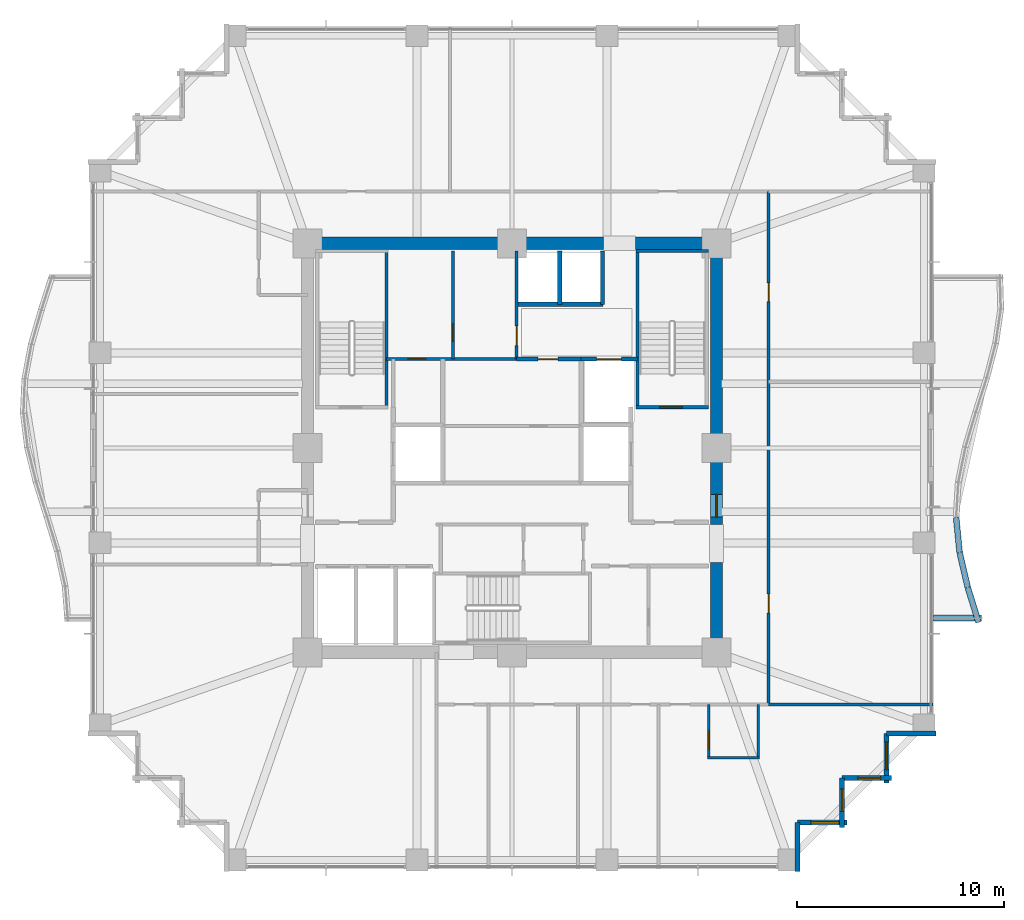
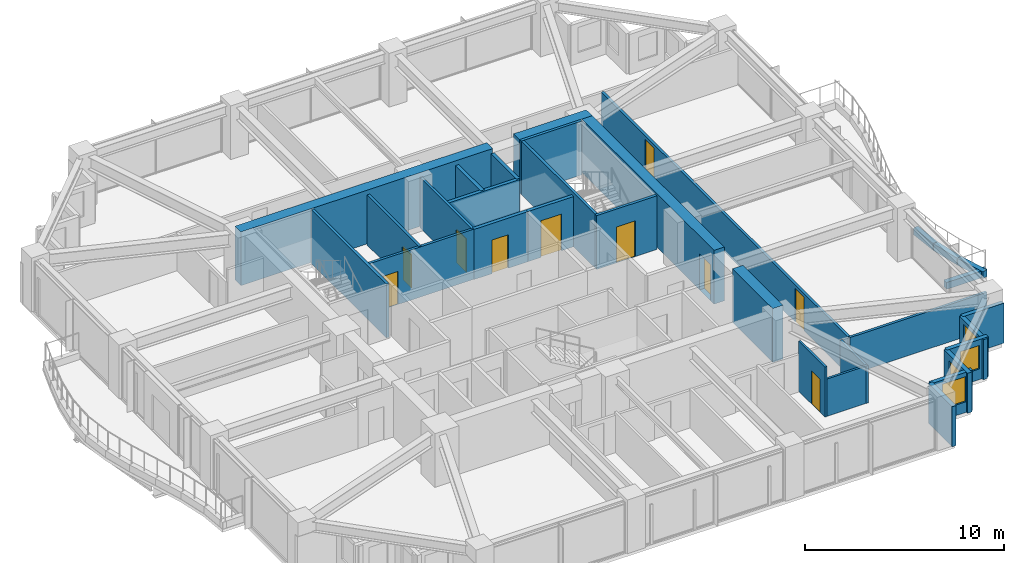
# One storey, part 32 of 36: 31 walls, 10 doors, 4 windows, 14 openings.
"""IFC4 building model written with IfcOpenShell, lengths in metres."""

from ifc_helpers import new_model, si_unit, direction, frame, frame_2d, origin, place, context, subcontext, project, spatial, rectangle, extrude, material, layer, layer_set, type_object, element, fill, save


model = new_model("IFC4")

# Units and contexts
model_context = context("Model", 3, precision=1e-05, world=origin(), true_north=direction((0.0, 1.0)))
body_context = subcontext(model_context, "Body", "Model", "MODEL_VIEW")
ifc_project = project(units=[si_unit("LENGTHUNIT", "METRE"), si_unit("AREAUNIT", "SQUARE_METRE"), si_unit("VOLUMEUNIT", "CUBIC_METRE"), si_unit("PLANEANGLEUNIT", "RADIAN"), si_unit("MASSUNIT", "GRAM", prefix="KILO")], contexts=[model_context])

# Site, building, storey
site_placement = place(None, origin())
site = spatial("IfcSite", under=ifc_project, at=site_placement, CompositionType="ELEMENT")
building_placement = place(site_placement, origin())
building = spatial("IfcBuilding", under=site, at=building_placement, Name="Kolvaren Belvedere", CompositionType="ELEMENT")
storey_placement = place(building_placement, frame((0.0, 0.0, 95.300048828125)))
storey = spatial("IfcBuildingStorey", under=building, at=storey_placement, Name="L27", CompositionType="ELEMENT", Elevation=95.300048828125)

# Walls
ifc_material_1 = material(Name="Concrete C60/75", Category="concrete")
ifc_layer_1 = layer(ifc_material_1, 0.60009765625)
ifc_layer_set_1 = layer_set([ifc_layer_1], Name="Concrete C60/75")
wall_type_1 = type_object("IfcWallType", Name="CW-CORE-600", PredefinedType="SHEAR", material=ifc_layer_set_1)
wall_1_placement = place(storey_placement, frame((-10.199951171875, 9.89990234375, 0.0), z_axis=(0.0, 0.0, 1.0), x_axis=(1.0, 0.0, 0.0)))
element("IfcWall", 1, at=wall_1_placement, inside=storey, type_object=wall_type_1, Name="L27 North Core Shear Wall 1", PredefinedType="SHEAR", context=body_context, shape_type="SweptSolid", body=[
    extrude(rectangle(XDim=14.619873046875, YDim=0.60009765625, at=frame_2d((7.31005859375, 0.0))), origin(), (0.0, 0.0, 1.0), 3.300048828125),
])
wall_2_placement = place(storey_placement, frame((5.97998046875, 9.89990234375, 0.0), z_axis=(0.0, 0.0, 1.0), x_axis=(1.0, 0.0, 0.0)))
element("IfcWall", 2, at=wall_2_placement, inside=storey, type_object=wall_type_1, Name="L27 North Core Shear Wall 2", PredefinedType="SHEAR", context=body_context, shape_type="SweptSolid", body=[
    extrude(rectangle(XDim=4.219970703125, YDim=0.60009765625, at=frame_2d((2.10986328125, 0.0))), origin(), (0.0, 0.0, 1.0), 3.300048828125),
])
wall_3_placement = place(storey_placement, frame((9.89990234375, -9.60009765625, 0.0), z_axis=(0.0, 0.0, 1.0), x_axis=(0.0, 1.0, 0.0)))
element("IfcWall", 3, at=wall_3_placement, inside=storey, type_object=wall_type_1, Name="L27 East Core Shear Wall 1", PredefinedType="SHEAR", context=body_context, shape_type="SweptSolid", body=[
    extrude(rectangle(XDim=4.050048828125, YDim=0.60009765625, at=frame_2d((2.02490234375, 0.0))), origin(), (0.0, 0.0, 1.0), 3.300048828125),
])

# Wall, opening, door
wall_4_placement = place(storey_placement, frame((9.89990234375, -3.699951171875, 0.0), z_axis=(0.0, 0.0, 1.0), x_axis=(0.0, 1.0, 0.0)))
wall_4 = element("IfcWall", 4, at=wall_4_placement, inside=storey, type_object=wall_type_1, Name="L27 East Core Shear Wall 2", PredefinedType="SHEAR", context=body_context, shape_type="SweptSolid", body=[
    extrude(rectangle(XDim=13.300048828125, YDim=0.60009765625, at=frame_2d((6.64990234375, 0.0))), origin(), (0.0, 0.0, 1.0), 3.300048828125),
])
opening_1_placement = place(wall_4_placement, frame((0.35009765625, 0.0, 0.0)))
opening_1 = element("IfcOpeningElement", 5, at=opening_1_placement, cuts=wall_4, Name="Opening D-FD90", PredefinedType="OPENING", context=body_context, shape_type="SweptSolid", body=[
    extrude(rectangle(XDim=1.10009765625, YDim=2.199951171875, at=frame_2d((0.550048828125, 1.10009765625))), frame((0.0, 0.31005859375, 0.0), z_axis=(0.0, -1.0, 0.0), x_axis=(1.0, 0.0, 0.0)), (0.0, 0.0, 1.0), 0.6201171875),
])
ifc_material_2 = material(Name="Painted hollow stainless steel", Category="steel")
door_type_1 = type_object("IfcDoorType", Name="DR-FD90-1100", OperationType="NOTDEFINED", PredefinedType="DOOR", material=ifc_material_2)
door_1_placement = place(opening_1_placement, origin())
door_1 = element("IfcDoor", 6, at=door_1_placement, inside=storey, type_object=door_type_1, Name="L27 East Firefighting Lobby Fire Door", OperationType="SINGLE_SWING_RIGHT", OverallHeight=2.199951171875, OverallWidth=1.10009765625, PredefinedType="DOOR", context=body_context, shape_type="SweptSolid", body=[
    extrude(rectangle(XDim=1.10009765625, YDim=2.199951171875, at=frame_2d((0.550048828125, 1.10009765625))), frame((0.0, 0.02490234375, 0.0), z_axis=(0.0, -1.0, 0.0), x_axis=(1.0, 0.0, 0.0)), (0.0, 0.0, 1.0), 0.050048828125),
])
fill(opening_1, door_1)

# Wall
ifc_material_3 = material(Name="Concrete C50/60", Category="concrete")
ifc_layer_2 = layer(ifc_material_3, 0.159912109375)
ifc_layer_set_2 = layer_set([ifc_layer_2], Name="Concrete C50/60")
wall_type_2 = type_object("IfcWallType", Name="CW-STAIR-160", PredefinedType="SHEAR", material=ifc_layer_set_2)
wall_5_placement = place(storey_placement, frame((-6.080078125, 1.969970703125, 0.0), z_axis=(0.0, 0.0, 1.0), x_axis=(0.0, 1.0, 0.0)))
element("IfcWall", 7, at=wall_5_placement, inside=storey, type_object=wall_type_2, Name="L27 Stair ST-1 East Shear Wall", PredefinedType="SHEAR", context=body_context, shape_type="SweptSolid", body=[
    extrude(rectangle(XDim=7.56005859375, YDim=0.159912109375, at=frame_2d((3.780029296875, 0.0))), origin(), (0.0, 0.0, 1.0), 3.300048828125),
])

# Wall, opening, door
wall_6_placement = place(storey_placement, frame((6.0, 1.969970703125, 0.0), z_axis=(0.0, 0.0, 1.0), x_axis=(1.0, 0.0, 0.0)))
wall_6 = element("IfcWall", 8, at=wall_6_placement, inside=storey, type_object=wall_type_2, Name="L27 Stair ST-2 South Shear Wall", PredefinedType="SHEAR", context=body_context, shape_type="SweptSolid", body=[
    extrude(rectangle(XDim=3.52001953125, YDim=0.159912109375, at=frame_2d((1.760009765625, 0.0))), origin(), (0.0, 0.0, 1.0), 3.300048828125),
])
opening_2_placement = place(wall_6_placement, frame((1.14990234375, 0.0, 0.0)))
opening_2 = element("IfcOpeningElement", 9, at=opening_2_placement, cuts=wall_6, Name="Opening D-FD90", PredefinedType="OPENING", context=body_context, shape_type="SweptSolid", body=[
    extrude(rectangle(XDim=1.10009765625, YDim=2.199951171875, at=frame_2d((0.550048828125, 1.10009765625))), frame((0.0, 0.08984375, 0.0), z_axis=(0.0, -1.0, 0.0), x_axis=(1.0, 0.0, 0.0)), (0.0, 0.0, 1.0), 0.179931640625),
])
door_2_placement = place(opening_2_placement, origin())
door_2 = element("IfcDoor", 10, at=door_2_placement, inside=storey, type_object=door_type_1, Name="L27 Stair ST-2 Fire Door", OperationType="SINGLE_SWING_RIGHT", OverallHeight=2.199951171875, OverallWidth=1.10009765625, PredefinedType="DOOR", context=body_context, shape_type="SweptSolid", body=[
    extrude(rectangle(XDim=1.10009765625, YDim=2.199951171875, at=frame_2d((0.550048828125, 1.10009765625))), frame((0.0, 0.02490234375, 0.0), z_axis=(0.0, -1.0, 0.0), x_axis=(1.0, 0.0, 0.0)), (0.0, 0.0, 1.0), 0.050048828125),
])
fill(opening_2, door_2)

# Walls
wall_7_placement = place(storey_placement, frame((6.0, 9.530029296875, 0.0), z_axis=(0.0, 0.0, 1.0), x_axis=(1.0, 0.0, 0.0)))
element("IfcWall", 11, at=wall_7_placement, inside=storey, type_object=wall_type_2, Name="L27 Stair ST-2 North Shear Wall", PredefinedType="SHEAR", context=body_context, shape_type="SweptSolid", body=[
    extrude(rectangle(XDim=3.52001953125, YDim=0.159912109375, at=frame_2d((1.760009765625, 0.0))), origin(), (0.0, 0.0, 1.0), 3.300048828125),
])
wall_8_placement = place(storey_placement, frame((6.080078125, 1.969970703125, 0.0), z_axis=(0.0, 0.0, 1.0), x_axis=(0.0, 1.0, 0.0)))
element("IfcWall", 12, at=wall_8_placement, inside=storey, type_object=wall_type_2, Name="L27 Stair ST-2 West Shear Wall", PredefinedType="SHEAR", context=body_context, shape_type="SweptSolid", body=[
    extrude(rectangle(XDim=7.56005859375, YDim=0.159912109375, at=frame_2d((3.780029296875, 0.0))), origin(), (0.0, 0.0, 1.0), 3.300048828125),
])

# Wall, openings, doors
ifc_material_4 = material(Name="Gypsum fire-rated partition assembly", Category="gypsum")
ifc_layer_3 = layer(ifc_material_4, 0.14990234375)
ifc_layer_set_3 = layer_set([ifc_layer_3], Name="Gypsum fire-rated partition assembly")
wall_type_3 = type_object("IfcWallType", Name="WL-CORR-150", PredefinedType="PARTITIONING", material=ifc_layer_set_3)
wall_9_placement = place(storey_placement, frame((12.419921875, -12.419921875, 0.0), z_axis=(0.0, 0.0, 1.0), x_axis=(0.0, 1.0, 0.0)))
wall_9 = element("IfcWall", 13, at=wall_9_placement, inside=storey, type_object=wall_type_3, Name="L27 East Corridor Wall", PredefinedType="PARTITIONING", context=body_context, shape_type="SweptSolid", body=[
    extrude(rectangle(XDim=24.83984375, YDim=0.14990234375, at=frame_2d((12.419921875, 0.0))), origin(), (0.0, 0.0, 1.0), 2.2919921875),
])
opening_3_placement = place(wall_9_placement, frame((4.43505859375, 0.0, 0.0)))
opening_3 = element("IfcOpeningElement", 14, at=opening_3_placement, cuts=wall_9, Name="Opening D-INT90", PredefinedType="OPENING", context=body_context, shape_type="SweptSolid", body=[
    extrude(rectangle(XDim=0.89990234375, YDim=2.06005859375, at=frame_2d((0.449951171875, 1.030029296875))), frame((0.0, 0.0849609375, 0.0), z_axis=(0.0, -1.0, 0.0), x_axis=(1.0, 0.0, 0.0)), (0.0, 0.0, 1.0), 0.169921875),
])
opening_4_placement = place(wall_9_placement, frame((19.5048828125, 0.0, 0.0)))
opening_4 = element("IfcOpeningElement", 15, at=opening_4_placement, cuts=wall_9, Name="Opening D-INT90", PredefinedType="OPENING", context=body_context, shape_type="SweptSolid", body=[
    extrude(rectangle(XDim=0.89990234375, YDim=2.06005859375, at=frame_2d((0.449951171875, 1.030029296875))), frame((0.0, 0.0849609375, 0.0), z_axis=(0.0, -1.0, 0.0), x_axis=(1.0, 0.0, 0.0)), (0.0, 0.0, 1.0), 0.169921875),
])
ifc_material_5 = material(Name="Stained Pacific white oak", Category="timber")
door_type_2 = type_object("IfcDoorType", Name="DR-INT-900", OperationType="NOTDEFINED", PredefinedType="DOOR", material=ifc_material_5)
door_3_placement = place(opening_3_placement, origin())
door_3 = element("IfcDoor", 16, at=door_3_placement, inside=storey, type_object=door_type_2, Name="L27 Lounge 2703 Door", OperationType="SINGLE_SWING_RIGHT", OverallHeight=2.06005859375, OverallWidth=0.89990234375, PredefinedType="DOOR", context=body_context, shape_type="SweptSolid", body=[
    extrude(rectangle(XDim=0.89990234375, YDim=2.06005859375, at=frame_2d((0.449951171875, 1.030029296875))), frame((0.0, 0.02490234375, 0.0), z_axis=(0.0, -1.0, 0.0), x_axis=(1.0, 0.0, 0.0)), (0.0, 0.0, 1.0), 0.050048828125),
])
fill(opening_3, door_3)
door_4_placement = place(opening_4_placement, origin())
door_4 = element("IfcDoor", 17, at=door_4_placement, inside=storey, type_object=door_type_2, Name="L27 Guest Tea & Espresso Kitchen 2704 Door", OperationType="SINGLE_SWING_LEFT", OverallHeight=2.06005859375, OverallWidth=0.89990234375, PredefinedType="DOOR", context=body_context, shape_type="SweptSolid", body=[
    extrude(rectangle(XDim=0.89990234375, YDim=2.06005859375, at=frame_2d((0.449951171875, 1.030029296875))), frame((0.0, 0.02490234375, 0.0), z_axis=(0.0, -1.0, 0.0), x_axis=(1.0, 0.0, 0.0)), (0.0, 0.0, 1.0), 0.050048828125),
])
fill(opening_4, door_4)

# Wall
ifc_material_6 = material(Name="Insulated pale-metal facade wall assembly", Category="aluminium")
ifc_layer_4 = layer(ifc_material_6, 0.239990234375)
ifc_layer_set_4 = layer_set([ifc_layer_4], Name="Insulated pale-metal facade wall assembly")
wall_type_4 = type_object("IfcWallType", Name="WL-EXT-240", PredefinedType="STANDARD", material=ifc_layer_set_4)
wall_10_placement = place(storey_placement, frame((13.830078125, -18.1298828125, 0.0), z_axis=(0.0, 0.0, 1.0), x_axis=(0.0, -1.0, 0.0)))
element("IfcWall", 18, at=wall_10_placement, inside=storey, type_object=wall_type_4, Name="L27 Serrated Corner Facade Wall 2", PredefinedType="STANDARD", context=body_context, shape_type="SweptSolid", body=[
    extrude(rectangle(XDim=2.39013671875, YDim=0.239990234375, at=frame_2d((1.195068359375, 0.0))), origin(), (0.0, 0.0, 1.0), 2.458984375),
])

# Wall, opening, window
wall_11_placement = place(storey_placement, frame((16.219970703125, -18.1298828125, 0.0), z_axis=(0.0, 0.0, 1.0), x_axis=(-1.0, 0.0, 0.0)))
wall_11 = element("IfcWall", 19, at=wall_11_placement, inside=storey, type_object=wall_type_4, Name="L27 Serrated Corner Facade Wall 3", PredefinedType="STANDARD", context=body_context, shape_type="SweptSolid", body=[
    extrude(rectangle(XDim=2.389892578125, YDim=0.239990234375, at=frame_2d((1.19482421875, 0.0))), origin(), (0.0, 0.0, 1.0), 2.458984375),
])
opening_5_placement = place(wall_11_placement, frame((0.39990234375, 0.0, 0.64990234375)))
opening_5 = element("IfcOpeningElement", 20, at=opening_5_placement, cuts=wall_11, Name="Opening W-1350", PredefinedType="OPENING", context=body_context, shape_type="SweptSolid", body=[
    extrude(rectangle(XDim=1.35009765625, YDim=1.550048828125, at=frame_2d((0.675048828125, 0.77490234375))), frame((0.0, 0.1298828125, 0.0), z_axis=(0.0, -1.0, 0.0), x_axis=(1.0, 0.0, 0.0)), (0.0, 0.0, 1.0), 0.260009765625),
])
ifc_material_7 = material(Name="Low-iron triple insulated glass", Category="glass")
window_type_1 = type_object("IfcWindowType", Name="WN-CORN-1350", PartitioningType="SINGLE_PANEL", PredefinedType="WINDOW", material=ifc_material_7)
window_1_placement = place(opening_5_placement, origin())
window_1 = element("IfcWindow", 21, at=window_1_placement, inside=storey, type_object=window_type_1, Name="L27 Serrated Corner Vision Window 3", OverallHeight=1.550048828125, OverallWidth=1.35009765625, PartitioningType="SINGLE_PANEL", PredefinedType="WINDOW", context=body_context, shape_type="SweptSolid", body=[
    extrude(rectangle(XDim=1.35009765625, YDim=1.550048828125, at=frame_2d((0.675048828125, 0.77490234375))), frame((0.0, 0.030029296875, 0.0), z_axis=(0.0, -1.0, 0.0), x_axis=(1.0, 0.0, 0.0)), (0.0, 0.0, 1.0), 0.06005859375),
])
fill(opening_5, window_1)

wall_12_placement = place(storey_placement, frame((15.97998046875, -15.97998046875, 0.0), z_axis=(0.0, 0.0, 1.0), x_axis=(0.0, -1.0, 0.0)))
wall_12 = element("IfcWall", 22, at=wall_12_placement, inside=storey, type_object=wall_type_4, Name="L27 Serrated Corner Facade Wall 4", PredefinedType="STANDARD", context=body_context, shape_type="SweptSolid", body=[
    extrude(rectangle(XDim=2.39013671875, YDim=0.239990234375, at=frame_2d((1.195068359375, 0.0))), origin(), (0.0, 0.0, 1.0), 2.458984375),
])
opening_6_placement = place(wall_12_placement, frame((0.52490234375, 0.0, 0.64990234375)))
opening_6 = element("IfcOpeningElement", 23, at=opening_6_placement, cuts=wall_12, Name="Opening W-1100", PredefinedType="OPENING", context=body_context, shape_type="SweptSolid", body=[
    extrude(rectangle(XDim=1.10009765625, YDim=1.449951171875, at=frame_2d((0.550048828125, 0.72509765625))), frame((0.0, 0.1298828125, 0.0), z_axis=(0.0, -1.0, 0.0), x_axis=(1.0, 0.0, 0.0)), (0.0, 0.0, 1.0), 0.260009765625),
])
ifc_material_8 = material(Name="Low-iron triple insulated glass", Category="glass")
window_type_2 = type_object("IfcWindowType", Name="WN-CORN-1100", PartitioningType="SINGLE_PANEL", PredefinedType="WINDOW", material=ifc_material_8)
window_2_placement = place(opening_6_placement, origin())
window_2 = element("IfcWindow", 24, at=window_2_placement, inside=storey, type_object=window_type_2, Name="L27 Serrated Corner Vision Window 4", OverallHeight=1.449951171875, OverallWidth=1.10009765625, PartitioningType="SINGLE_PANEL", PredefinedType="WINDOW", context=body_context, shape_type="SweptSolid", body=[
    extrude(rectangle(XDim=1.10009765625, YDim=1.449951171875, at=frame_2d((0.550048828125, 0.72509765625))), frame((0.0, 0.030029296875, 0.0), z_axis=(0.0, -1.0, 0.0), x_axis=(1.0, 0.0, 0.0)), (0.0, 0.0, 1.0), 0.06005859375),
])
fill(opening_6, window_2)

wall_13_placement = place(storey_placement, frame((18.3701171875, -15.97998046875, 0.0), z_axis=(0.0, 0.0, 1.0), x_axis=(-1.0, 0.0, 0.0)))
wall_13 = element("IfcWall", 25, at=wall_13_placement, inside=storey, type_object=wall_type_4, Name="L27 Serrated Corner Facade Wall 5", PredefinedType="STANDARD", context=body_context, shape_type="SweptSolid", body=[
    extrude(rectangle(XDim=2.39013671875, YDim=0.239990234375, at=frame_2d((1.195068359375, 0.0))), origin(), (0.0, 0.0, 1.0), 2.458984375),
])
opening_7_placement = place(wall_13_placement, frame((0.52490234375, 0.0, 0.64990234375)))
opening_7 = element("IfcOpeningElement", 26, at=opening_7_placement, cuts=wall_13, Name="Opening W-1100", PredefinedType="OPENING", context=body_context, shape_type="SweptSolid", body=[
    extrude(rectangle(XDim=1.10009765625, YDim=1.449951171875, at=frame_2d((0.550048828125, 0.72509765625))), frame((0.0, 0.1298828125, 0.0), z_axis=(0.0, -1.0, 0.0), x_axis=(1.0, 0.0, 0.0)), (0.0, 0.0, 1.0), 0.260009765625),
])
window_3_placement = place(opening_7_placement, origin())
window_3 = element("IfcWindow", 27, at=window_3_placement, inside=storey, type_object=window_type_2, Name="L27 Serrated Corner Vision Window 5", OverallHeight=1.449951171875, OverallWidth=1.10009765625, PartitioningType="SINGLE_PANEL", PredefinedType="WINDOW", context=body_context, shape_type="SweptSolid", body=[
    extrude(rectangle(XDim=1.10009765625, YDim=1.449951171875, at=frame_2d((0.550048828125, 0.72509765625))), frame((0.0, 0.030029296875, 0.0), z_axis=(0.0, -1.0, 0.0), x_axis=(1.0, 0.0, 0.0)), (0.0, 0.0, 1.0), 0.06005859375),
])
fill(opening_7, window_3)

wall_14_placement = place(storey_placement, frame((18.1298828125, -13.830078125, 0.0), z_axis=(0.0, 0.0, 1.0), x_axis=(0.0, -1.0, 0.0)))
wall_14 = element("IfcWall", 28, at=wall_14_placement, inside=storey, type_object=wall_type_4, Name="L27 Serrated Corner Facade Wall 6", PredefinedType="STANDARD", context=body_context, shape_type="SweptSolid", body=[
    extrude(rectangle(XDim=2.389892578125, YDim=0.239990234375, at=frame_2d((1.19482421875, 0.0))), origin(), (0.0, 0.0, 1.0), 2.458984375),
])
opening_8_placement = place(wall_14_placement, frame((0.39990234375, 0.0, 0.64990234375)))
opening_8 = element("IfcOpeningElement", 29, at=opening_8_placement, cuts=wall_14, Name="Opening W-1350", PredefinedType="OPENING", context=body_context, shape_type="SweptSolid", body=[
    extrude(rectangle(XDim=1.35009765625, YDim=1.550048828125, at=frame_2d((0.675048828125, 0.77490234375))), frame((0.0, 0.1298828125, 0.0), z_axis=(0.0, -1.0, 0.0), x_axis=(1.0, 0.0, 0.0)), (0.0, 0.0, 1.0), 0.260009765625),
])
window_4_placement = place(opening_8_placement, origin())
window_4 = element("IfcWindow", 30, at=window_4_placement, inside=storey, type_object=window_type_1, Name="L27 Serrated Corner Vision Window 6", OverallHeight=1.550048828125, OverallWidth=1.35009765625, PartitioningType="SINGLE_PANEL", PredefinedType="WINDOW", context=body_context, shape_type="SweptSolid", body=[
    extrude(rectangle(XDim=1.35009765625, YDim=1.550048828125, at=frame_2d((0.675048828125, 0.77490234375))), frame((0.0, 0.030029296875, 0.0), z_axis=(0.0, -1.0, 0.0), x_axis=(1.0, 0.0, 0.0)), (0.0, 0.0, 1.0), 0.06005859375),
])
fill(opening_8, window_4)

# Wall
wall_15_placement = place(storey_placement, frame((20.52001953125, -13.830078125, 0.0), z_axis=(0.0, 0.0, 1.0), x_axis=(-1.0, 0.0, 0.0)))
element("IfcWall", 31, at=wall_15_placement, inside=storey, type_object=wall_type_4, Name="L27 Serrated Corner Facade Wall 7", PredefinedType="STANDARD", context=body_context, shape_type="SweptSolid", body=[
    extrude(rectangle(XDim=2.39013671875, YDim=0.239990234375, at=frame_2d((1.195068359375, 0.0))), origin(), (0.0, 0.0, 1.0), 2.458984375),
])

# Wall, opening, door
ifc_material_9 = material(Name="Gypsum acoustic partition assembly", Category="gypsum")
ifc_layer_5 = layer(ifc_material_9, 0.14990234375)
ifc_layer_set_5 = layer_set([ifc_layer_5], Name="Gypsum acoustic partition assembly")
wall_type_5 = type_object("IfcWallType", Name="WL-PART-150", PredefinedType="PARTITIONING", material=ifc_layer_set_5)
wall_16_placement = place(storey_placement, frame((-6.080078125, 4.300048828125, 0.0), z_axis=(0.0, 0.0, 1.0), x_axis=(1.0, 0.0, 0.0)))
wall_16 = element("IfcWall", 32, at=wall_16_placement, inside=storey, type_object=wall_type_5, Name="L27 Reclaimed Salon South Wall", PredefinedType="PARTITIONING", context=body_context, shape_type="SweptSolid", body=[
    extrude(rectangle(XDim=6.300048828125, YDim=0.14990234375, at=frame_2d((3.14990234375, 0.0))), origin(), (0.0, 0.0, 1.0), 3.079833984375),
])
opening_9_placement = place(wall_16_placement, frame((1.050048828125, 0.0, 0.0)))
opening_9 = element("IfcOpeningElement", 33, at=opening_9_placement, cuts=wall_16, Name="Opening D-INT85", PredefinedType="OPENING", context=body_context, shape_type="SweptSolid", body=[
    extrude(rectangle(XDim=0.85009765625, YDim=2.030029296875, at=frame_2d((0.425048828125, 1.01513671875))), frame((0.0, 0.0849609375, 0.0), z_axis=(0.0, -1.0, 0.0), x_axis=(1.0, 0.0, 0.0)), (0.0, 0.0, 1.0), 0.169921875),
])
ifc_material_10 = material(Name="Stained Pacific white oak", Category="timber")
door_type_3 = type_object("IfcDoorType", Name="DR-INT-850", OperationType="NOTDEFINED", PredefinedType="DOOR", material=ifc_material_10)
door_5_placement = place(opening_9_placement, origin())
door_5 = element("IfcDoor", 34, at=door_5_placement, inside=storey, type_object=door_type_3, Name="L27 NW Core Store Door", OperationType="SINGLE_SWING_RIGHT", OverallHeight=2.030029296875, OverallWidth=0.85009765625, PredefinedType="DOOR", context=body_context, shape_type="SweptSolid", body=[
    extrude(rectangle(XDim=0.85009765625, YDim=2.030029296875, at=frame_2d((0.425048828125, 1.01513671875))), frame((0.0, 0.02490234375, 0.0), z_axis=(0.0, -1.0, 0.0), x_axis=(1.0, 0.0, 0.0)), (0.0, 0.0, 1.0), 0.050048828125),
])
fill(opening_9, door_5)

wall_17_placement = place(storey_placement, frame((0.219970703125, 4.300048828125, 0.0), z_axis=(0.0, 0.0, 1.0), x_axis=(0.0, 1.0, 0.0)))
wall_17 = element("IfcWall", 35, at=wall_17_placement, inside=storey, type_object=wall_type_5, Name="L27 Reclaimed Salon East Wall", PredefinedType="PARTITIONING", context=body_context, shape_type="SweptSolid", body=[
    extrude(rectangle(XDim=5.219970703125, YDim=0.14990234375, at=frame_2d((2.60986328125, 0.0))), origin(), (0.0, 0.0, 1.0), 3.079833984375),
])
opening_10_placement = place(wall_17_placement, frame((0.64990234375, 0.0, 0.0)))
opening_10 = element("IfcOpeningElement", 36, at=opening_10_placement, cuts=wall_17, Name="Opening D-INT95", PredefinedType="OPENING", context=body_context, shape_type="SweptSolid", body=[
    extrude(rectangle(XDim=0.949951171875, YDim=2.06005859375, at=frame_2d((0.47509765625, 1.030029296875))), frame((0.0, 0.0849609375, 0.0), z_axis=(0.0, -1.0, 0.0), x_axis=(1.0, 0.0, 0.0)), (0.0, 0.0, 1.0), 0.169921875),
])
ifc_material_11 = material(Name="Stained Pacific white oak", Category="timber")
door_type_4 = type_object("IfcDoorType", Name="DR-INT-950", OperationType="NOTDEFINED", PredefinedType="DOOR", material=ifc_material_11)
door_6_placement = place(opening_10_placement, origin())
door_6 = element("IfcDoor", 37, at=door_6_placement, inside=storey, type_object=door_type_4, Name="L27 Sky Boardroom Door", OperationType="SINGLE_SWING_LEFT", OverallHeight=2.06005859375, OverallWidth=0.949951171875, PredefinedType="DOOR", context=body_context, shape_type="SweptSolid", body=[
    extrude(rectangle(XDim=0.949951171875, YDim=2.06005859375, at=frame_2d((0.47509765625, 1.030029296875))), frame((0.0, 0.02490234375, 0.0), z_axis=(0.0, -1.0, 0.0), x_axis=(1.0, 0.0, 0.0)), (0.0, 0.0, 1.0), 0.050048828125),
])
fill(opening_10, door_6)

wall_18_placement = place(storey_placement, frame((-2.85009765625, 4.300048828125, 0.0), z_axis=(0.0, 0.0, 1.0), x_axis=(0.0, 1.0, 0.0)))
wall_18 = element("IfcWall", 38, at=wall_18_placement, inside=storey, type_object=wall_type_5, Name="L27 Reclaimed Salon Divider", PredefinedType="PARTITIONING", context=body_context, shape_type="SweptSolid", body=[
    extrude(rectangle(XDim=5.219970703125, YDim=0.14990234375, at=frame_2d((2.60986328125, 0.0))), origin(), (0.0, 0.0, 1.0), 3.079833984375),
])
opening_11_placement = place(wall_18_placement, frame((0.85009765625, 0.0, 0.0)))
opening_11 = element("IfcOpeningElement", 39, at=opening_11_placement, cuts=wall_18, Name="Opening D-INT85", PredefinedType="OPENING", context=body_context, shape_type="SweptSolid", body=[
    extrude(rectangle(XDim=0.85009765625, YDim=2.030029296875, at=frame_2d((0.425048828125, 1.01513671875))), frame((0.0, 0.0849609375, 0.0), z_axis=(0.0, -1.0, 0.0), x_axis=(1.0, 0.0, 0.0)), (0.0, 0.0, 1.0), 0.169921875),
])
door_7_placement = place(opening_11_placement, origin())
door_7 = element("IfcDoor", 40, at=door_7_placement, inside=storey, type_object=door_type_3, Name="L27 Beverage Pantry Door", OperationType="SINGLE_SWING_RIGHT", OverallHeight=2.030029296875, OverallWidth=0.85009765625, PredefinedType="DOOR", context=body_context, shape_type="SweptSolid", body=[
    extrude(rectangle(XDim=0.85009765625, YDim=2.030029296875, at=frame_2d((0.425048828125, 1.01513671875))), frame((0.0, 0.02490234375, 0.0), z_axis=(0.0, -1.0, 0.0), x_axis=(1.0, 0.0, 0.0)), (0.0, 0.0, 1.0), 0.050048828125),
])
fill(opening_11, door_7)

# Walls
wall_19_placement = place(storey_placement, frame((12.419921875, -12.419921875, 0.0), z_axis=(0.0, 0.0, 1.0), x_axis=(1.0, 0.0, 0.0)))
element("IfcWall", 41, at=wall_19_placement, inside=storey, type_object=wall_type_5, Name="L27 Wing Divider PW-L27-QSE", PredefinedType="PARTITIONING", context=body_context, shape_type="SweptSolid", body=[
    extrude(rectangle(XDim=7.9599609375, YDim=0.14990234375, at=frame_2d((3.97998046875, 0.0))), origin(), (0.0, 0.0, 1.0), 2.2919921875),
])
ifc_material_12 = material(Name="Precast concrete C40/50", Category="concrete")
ifc_layer_6 = layer(ifc_material_12, 0.300048828125)
ifc_layer_set_6 = layer_set([ifc_layer_6], Name="Precast concrete C40/50")
wall_type_6 = type_object("IfcWallType", Name="WL-PLANTER-300", PredefinedType="PARAPET", material=ifc_layer_set_6)
wall_20_placement = place(storey_placement, frame((22.587158203125, -8.447265625, -0.0400390625), z_axis=(0.0, 0.0, 1.0), x_axis=(-0.295831524561, 0.95524013163, 0.0)))
element("IfcWall", 42, at=wall_20_placement, inside=storey, type_object=wall_type_6, Name="L27 Precast Structural Planter Wall BAL-E-1", PredefinedType="PARAPET", context=body_context, shape_type="SweptSolid", body=[
    extrude(rectangle(XDim=1.758544921875, YDim=0.280029296875, at=frame_2d((0.87939453125, 0.0))), origin(), (0.0, 0.0, 1.0), 0.419921875),
])
wall_21_placement = place(storey_placement, frame((22.06396484375, -6.75634765625, -0.0400390625), z_axis=(0.0, 0.0, 1.0), x_axis=(-0.227019323824, 0.973890253884, 0.0)))
element("IfcWall", 43, at=wall_21_placement, inside=storey, type_object=wall_type_6, Name="L27 Precast Structural Planter Wall BAL-E-2", PredefinedType="PARAPET", context=body_context, shape_type="SweptSolid", body=[
    extrude(rectangle(XDim=1.724853515625, YDim=0.280029296875, at=frame_2d((0.8623046875, 0.0))), origin(), (0.0, 0.0, 1.0), 0.419921875),
])
wall_22_placement = place(storey_placement, frame((21.6689453125, -5.0556640625, -0.0400390625), z_axis=(0.0, 0.0, 1.0), x_axis=(-0.098343801694, 0.995152499202, 0.0)))
element("IfcWall", 44, at=wall_22_placement, inside=storey, type_object=wall_type_6, Name="L27 Precast Structural Planter Wall BAL-E-3", PredefinedType="PARAPET", context=body_context, shape_type="SweptSolid", body=[
    extrude(rectangle(XDim=1.688232421875, YDim=0.280029296875, at=frame_2d((0.84423828125, 0.0))), origin(), (0.0, 0.0, 1.0), 0.419921875),
])
wall_23_placement = place(storey_placement, frame((20.39990234375, -8.239990234375, -0.0400390625), z_axis=(0.0, 0.0, 1.0), x_axis=(1.0, 0.0, 0.0)))
element("IfcWall", 45, at=wall_23_placement, inside=storey, type_object=wall_type_6, Name="L27 Precast Structural Planter Wall BAL-E-22", PredefinedType="PARAPET", context=body_context, shape_type="SweptSolid", body=[
    extrude(rectangle(XDim=2.340087890625, YDim=0.280029296875, at=frame_2d((1.169921875, 0.0))), origin(), (0.0, 0.0, 1.0), 0.419921875),
])

# Wall, opening, door
ifc_material_13 = material(Name="Concrete C50/60", Category="concrete")
ifc_layer_7 = layer(ifc_material_13, 0.199951171875)
ifc_layer_set_7 = layer_set([ifc_layer_7], Name="Concrete C50/60")
wall_type_7 = type_object("IfcWallType", Name="WL-SHAFT-200", PredefinedType="SOLIDWALL", material=ifc_layer_set_7)
wall_24_placement = place(storey_placement, frame((3.35009765625, 4.300048828125, 0.0), z_axis=(0.0, 0.0, 1.0), x_axis=(1.0, 0.0, 0.0)))
wall_24 = element("IfcWall", 46, at=wall_24_placement, inside=storey, type_object=wall_type_7, Name="L27 Service Lift SV1 Front Wall", PredefinedType="SOLIDWALL", context=body_context, shape_type="SweptSolid", body=[
    extrude(rectangle(XDim=2.72998046875, YDim=0.199951171875, at=frame_2d((1.364990234375, 0.0))), origin(), (0.0, 0.0, 1.0), 3.079833984375),
])
opening_12_placement = place(wall_24_placement, frame((0.75, 0.0, 0.0)))
opening_12 = element("IfcOpeningElement", 47, at=opening_12_placement, cuts=wall_24, Name="Opening LD-12", PredefinedType="OPENING", context=body_context, shape_type="SweptSolid", body=[
    extrude(rectangle(XDim=1.199951171875, YDim=2.25, at=frame_2d((0.60009765625, 1.125))), frame((0.0, 0.10986328125, 0.0), z_axis=(0.0, -1.0, 0.0), x_axis=(1.0, 0.0, 0.0)), (0.0, 0.0, 1.0), 0.219970703125),
])
ifc_material_14 = material(Name="Brushed stainless steel", Category="steel")
door_type_5 = type_object("IfcDoorType", Name="DR-LIFT-1200", OperationType="DOUBLE_DOOR_SLIDING", PredefinedType="DOOR", material=ifc_material_14)
door_8_placement = place(opening_12_placement, origin())
door_8 = element("IfcDoor", 48, at=door_8_placement, inside=storey, type_object=door_type_5, Name="L27 Service Lift SV1 Landing Door", OperationType="DOUBLE_DOOR_SLIDING", OverallHeight=2.25, OverallWidth=1.199951171875, PredefinedType="DOOR", context=body_context, shape_type="SweptSolid", body=[
    extrude(rectangle(XDim=1.199951171875, YDim=2.25, at=frame_2d((0.60009765625, 1.125))), frame((0.0, 0.02490234375, 0.0), z_axis=(0.0, -1.0, 0.0), x_axis=(1.0, 0.0, 0.0)), (0.0, 0.0, 1.0), 0.050048828125),
])
fill(opening_12, door_8)

# Walls
wall_25_placement = place(storey_placement, frame((0.219970703125, 6.949951171875, 0.0), z_axis=(0.0, 0.0, 1.0), x_axis=(1.0, 0.0, 0.0)))
element("IfcWall", 49, at=wall_25_placement, inside=storey, type_object=wall_type_7, Name="L27 Express Shuttle Hoistway Wall", PredefinedType="SOLIDWALL", context=body_context, shape_type="SweptSolid", body=[
    extrude(rectangle(XDim=4.179931640625, YDim=0.199951171875, at=frame_2d((2.08984375, 0.0))), origin(), (0.0, 0.0, 1.0), 3.079833984375),
])
for number, where, z_axis, x_axis, name in (
    (50, (4.3798828125, 6.949951171875, 0.0), (0.0, 0.0, 1.0), (0.0, 1.0, 0.0), "L27 Express Shuttle East Wall"),
    (51, (2.31005859375, 6.949951171875, 0.0), (0.0, 0.0, 1.0), (0.0, 1.0, 0.0), "L27 Express Shuttle Divider"),
):
    element("IfcWall", number, at=place(storey_placement, frame(where, z_axis=z_axis, x_axis=x_axis)), inside=storey, type_object=wall_type_7, Name=name, PredefinedType="SOLIDWALL", context=body_context, shape_type="SweptSolid", body=[
        extrude(rectangle(XDim=2.570068359375, YDim=0.199951171875, at=frame_2d((1.28515625, 0.0))), origin(), (0.0, 0.0, 1.0), 3.079833984375),
    ])

# Wall, opening, door
wall_26_placement = place(storey_placement, frame((0.219970703125, 4.300048828125, 0.0), z_axis=(0.0, 0.0, 1.0), x_axis=(1.0, 0.0, 0.0)))
wall_26 = element("IfcWall", 52, at=wall_26_placement, inside=storey, type_object=wall_type_7, Name="L27 Central Core Room North Wall", PredefinedType="SOLIDWALL", context=body_context, shape_type="SweptSolid", body=[
    extrude(rectangle(XDim=3.130126953125, YDim=0.199951171875, at=frame_2d((1.56494140625, 0.0))), origin(), (0.0, 0.0, 1.0), 3.079833984375),
])
opening_13_placement = place(wall_26_placement, frame((1.050048828125, 0.0, 0.0)))
opening_13 = element("IfcOpeningElement", 53, at=opening_13_placement, cuts=wall_26, Name="Opening D-FD60", PredefinedType="OPENING", context=body_context, shape_type="SweptSolid", body=[
    extrude(rectangle(XDim=0.949951171875, YDim=2.06005859375, at=frame_2d((0.47509765625, 1.030029296875))), frame((0.0, 0.10986328125, 0.0), z_axis=(0.0, -1.0, 0.0), x_axis=(1.0, 0.0, 0.0)), (0.0, 0.0, 1.0), 0.219970703125),
])
ifc_material_15 = material(Name="Acoustic white-oak fire door leaf", Category="timber")
door_type_6 = type_object("IfcDoorType", Name="DR-FD60-950", OperationType="NOTDEFINED", PredefinedType="DOOR", material=ifc_material_15)
door_9_placement = place(opening_13_placement, origin())
door_9 = element("IfcDoor", 54, at=door_9_placement, inside=storey, type_object=door_type_6, Name="L27 Central Core Controls Door", OperationType="SINGLE_SWING_LEFT", OverallHeight=2.06005859375, OverallWidth=0.949951171875, PredefinedType="DOOR", context=body_context, shape_type="SweptSolid", body=[
    extrude(rectangle(XDim=0.949951171875, YDim=2.06005859375, at=frame_2d((0.47509765625, 1.030029296875))), frame((0.0, 0.02490234375, 0.0), z_axis=(0.0, -1.0, 0.0), x_axis=(1.0, 0.0, 0.0)), (0.0, 0.0, 1.0), 0.050048828125),
])
fill(opening_13, door_9)

ifc_material_16 = material(Name="Moisture-resistant gypsum partition", Category="gypsum")
ifc_layer_8 = layer(ifc_material_16, 0.125)
ifc_layer_set_8 = layer_set([ifc_layer_8], Name="Moisture-resistant gypsum partition")
wall_type_8 = type_object("IfcWallType", Name="WL-WET-125", PredefinedType="PARTITIONING", material=ifc_layer_set_8)
wall_27_placement = place(storey_placement, frame((9.530029296875, -15.074951171875, 0.0), z_axis=(0.0, 0.0, 1.0), x_axis=(0.0, 1.0, 0.0)))
wall_27 = element("IfcWall", 55, at=wall_27_placement, inside=storey, type_object=wall_type_8, Name="L27 Bathroom Partition PW-L27-BTH-9-E", PredefinedType="PARTITIONING", context=body_context, shape_type="SweptSolid", body=[
    extrude(rectangle(XDim=2.639892578125, YDim=0.125, at=frame_2d((1.31982421875, 0.0))), origin(), (0.0, 0.0, 1.0), 3.079833984375),
])
opening_14_placement = place(wall_27_placement, frame((0.5, 0.0, 0.0)))
opening_14 = element("IfcOpeningElement", 56, at=opening_14_placement, cuts=wall_27, Name="Opening D-BTH85", PredefinedType="OPENING", context=body_context, shape_type="SweptSolid", body=[
    extrude(rectangle(XDim=0.85009765625, YDim=2.030029296875, at=frame_2d((0.425048828125, 1.01513671875))), frame((0.0, 0.072509765625, 0.0), z_axis=(0.0, -1.0, 0.0), x_axis=(1.0, 0.0, 0.0)), (0.0, 0.0, 1.0), 0.14501953125),
])
ifc_material_17 = material(Name="Moisture-sealed Pacific white oak", Category="timber")
door_type_7 = type_object("IfcDoorType", Name="DR-BATH-850", OperationType="NOTDEFINED", PredefinedType="DOOR", material=ifc_material_17)
door_10_placement = place(opening_14_placement, origin())
door_10 = element("IfcDoor", 57, at=door_10_placement, inside=storey, type_object=door_type_7, Name="L27 En-Suite Bathroom 2709 Door", OperationType="SINGLE_SWING_RIGHT", OverallHeight=2.030029296875, OverallWidth=0.85009765625, PredefinedType="DOOR", context=body_context, shape_type="SweptSolid", body=[
    extrude(rectangle(XDim=0.85009765625, YDim=2.030029296875, at=frame_2d((0.425048828125, 1.01513671875))), frame((0.0, 0.02490234375, 0.0), z_axis=(0.0, -1.0, 0.0), x_axis=(1.0, 0.0, 0.0)), (0.0, 0.0, 1.0), 0.050048828125),
])
fill(opening_14, door_10)

# Walls
wall_28_placement = place(storey_placement, frame((9.469970703125, -14.9951171875, 0.0), z_axis=(0.0, 0.0, 1.0), x_axis=(1.0, 0.0, 0.0)))
element("IfcWall", 58, at=wall_28_placement, inside=storey, type_object=wall_type_8, Name="L27 Bathroom Partition PW-L27-BTH-9-H", PredefinedType="PARTITIONING", context=body_context, shape_type="SweptSolid", body=[
    extrude(rectangle(XDim=2.52001953125, YDim=0.125, at=frame_2d((1.260009765625, 0.0))), origin(), (0.0, 0.0, 1.0), 2.2919921875),
])
wall_29_placement = place(storey_placement, frame((11.929931640625, -15.074951171875, 0.0), z_axis=(0.0, 0.0, 1.0), x_axis=(0.0, 1.0, 0.0)))
element("IfcWall", 59, at=wall_29_placement, inside=storey, type_object=wall_type_8, Name="L27 Bathroom Partition PW-L27-BTH-9-W", PredefinedType="PARTITIONING", context=body_context, shape_type="SweptSolid", body=[
    extrude(rectangle(XDim=2.639892578125, YDim=0.125, at=frame_2d((1.31982421875, 0.0))), origin(), (0.0, 0.0, 1.0), 2.2919921875),
])

save(model, "model.ifc")
